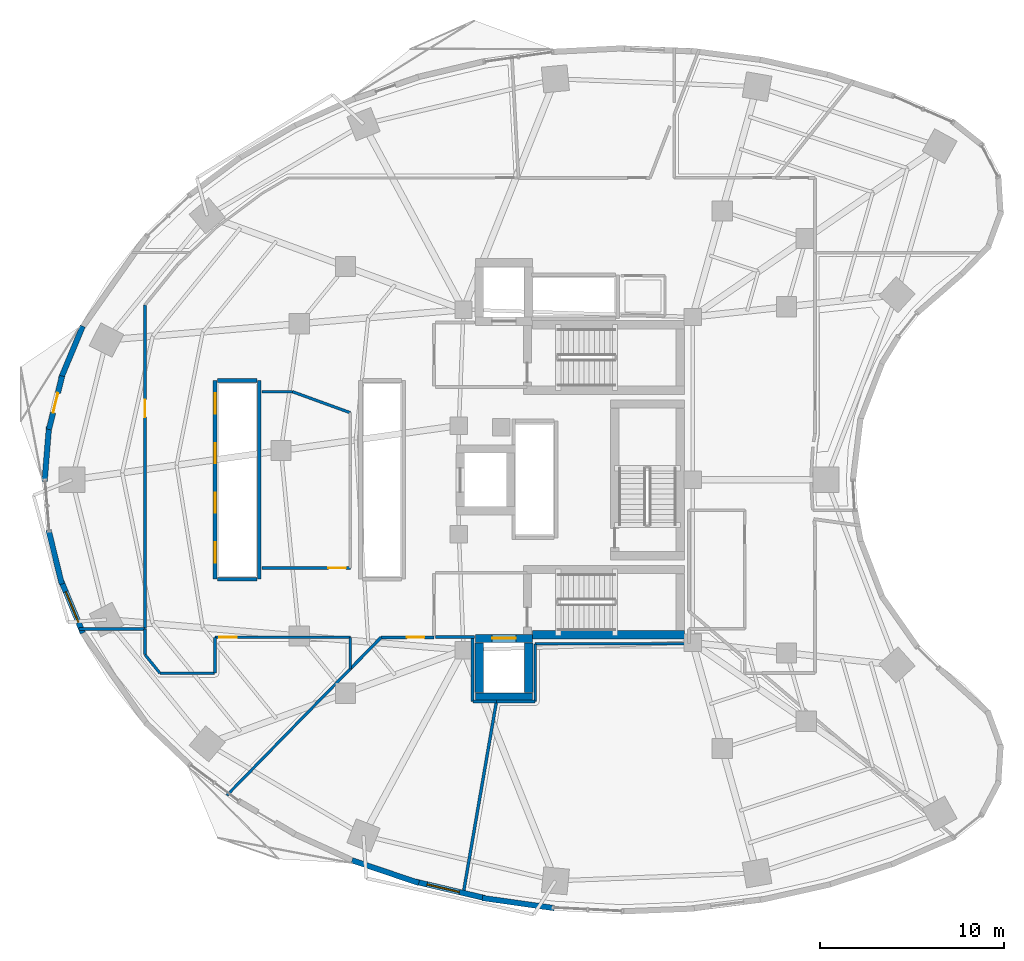
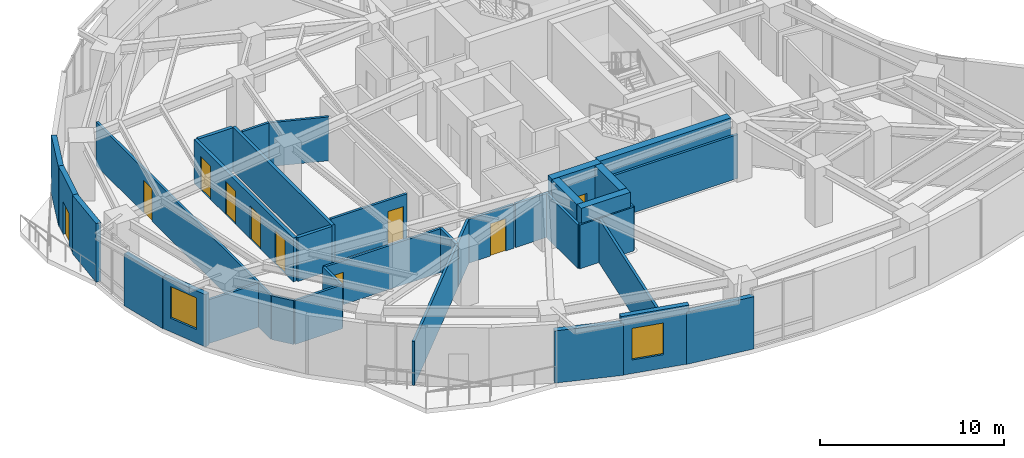
# One storey, part 8 of 14: 38 walls, 10 doors, 2 windows, 12 openings.
"""IFC4 building model written with IfcOpenShell, lengths in metres."""

from ifc_helpers import new_model, si_unit, direction, frame, frame_2d, origin, place, context, subcontext, project, spatial, rectangle, extrude, material, layer, layer_set, type_object, element, fill, save


model = new_model("IFC4")

# Units and contexts
model_context = context("Model", 3, precision=1e-05, world=origin(), true_north=direction((0.0, 1.0)))
body_context = subcontext(model_context, "Body", "Model", "MODEL_VIEW")
ifc_project = project(units=[si_unit("LENGTHUNIT", "METRE"), si_unit("AREAUNIT", "SQUARE_METRE"), si_unit("VOLUMEUNIT", "CUBIC_METRE"), si_unit("PLANEANGLEUNIT", "RADIAN"), si_unit("MASSUNIT", "GRAM", prefix="KILO")], contexts=[model_context])

# Site, building, storey
site_placement = place(None, origin())
site = spatial("IfcSite", under=ifc_project, at=site_placement, CompositionType="ELEMENT")
building_placement = place(site_placement, origin())
building = spatial("IfcBuilding", under=site, at=building_placement, Name="Korentha Bioscience Tower", CompositionType="ELEMENT")
storey_placement = place(building_placement, frame((0.0, 0.0, 51.0)))
storey = spatial("IfcBuildingStorey", under=building, at=storey_placement, Name="L11", CompositionType="ELEMENT", Elevation=51.0)

# Wall, opening, door
ifc_material_1 = material(Name="Double-Stud Acoustic Gypsum", Category="gypsum")
ifc_layer_1 = layer(ifc_material_1, 0.14990234375, Name="Double-Stud Acoustic Gypsum")
ifc_layer_set_1 = layer_set([ifc_layer_1], Name="Double-Stud Acoustic Gypsum (IW-L150)")
wall_type_1 = type_object("IfcWallType", Name="Acoustic Laboratory Partition Wall 150", PredefinedType="PARTITIONING", material=ifc_layer_set_1)
wall_1_placement = place(storey_placement, frame((18.947998046875, 22.2099609375, 0.0), z_axis=(0.0, 0.0, 1.0), x_axis=(-1.0, 0.0, 0.0)))
wall_1 = element("IfcWall", 1, at=wall_1_placement, inside=storey, type_object=wall_type_1, Name="L11 Research Colloquium Seminar Room 01 Entrance Wall", PredefinedType="PARTITIONING", context=body_context, shape_type="SweptSolid", body=[
    extrude(rectangle(XDim=4.7880859375, YDim=0.14990234375, at=frame_2d((2.39404296875, 0.0))), origin(), (0.0, 0.0, 1.0), 2.909912109375),
])
opening_1_placement = place(wall_1_placement, frame((0.239990234375, 0.0, 0.0)))
opening_1 = element("IfcOpeningElement", 2, at=opening_1_placement, cuts=wall_1, Name="Opening ID-10L", PredefinedType="OPENING", context=body_context, shape_type="SweptSolid", body=[
    extrude(rectangle(XDim=0.949951171875, YDim=2.14990234375, at=frame_2d((0.47509765625, 1.074951171875))), frame((0.0, 0.08984375, 0.0), z_axis=(0.0, -1.0, 0.0), x_axis=(1.0, 0.0, 0.0)), (0.0, 0.0, 1.0), 0.1796875),
])
ifc_material_2 = material(Name="Phenolic Laminate Timber Core", Category="wood")
door_type_1 = type_object("IfcDoorType", Name="Laboratory Single Leaf Door 950x2150 Left", OperationType="SINGLE_SWING_LEFT", PredefinedType="DOOR", material=ifc_material_2)
door_1_placement = place(opening_1_placement, origin())
door_1 = element("IfcDoor", 3, at=door_1_placement, inside=storey, type_object=door_type_1, Name="L11 Research Colloquium Seminar Room 01 Door", OperationType="SINGLE_SWING_LEFT", OverallHeight=2.14990234375, OverallWidth=0.949951171875, PredefinedType="DOOR", context=body_context, shape_type="SweptSolid", body=[
    extrude(rectangle(XDim=0.949951171875, YDim=2.14990234375, at=frame_2d((0.47509765625, 1.074951171875))), frame((0.0, 0.02490234375, 0.0), z_axis=(0.0, -1.0, 0.0), x_axis=(1.0, 0.0, 0.0)), (0.0, 0.0, 1.0), 0.050048828125),
])
fill(opening_1, door_1)

wall_2_placement = place(storey_placement, frame((11.590087890625, 18.43994140625, 0.0), z_axis=(0.0, 0.0, 1.0), x_axis=(1.0, 0.0, 0.0)))
wall_2 = element("IfcWall", 4, at=wall_2_placement, inside=storey, type_object=wall_type_1, Name="L11 Staff Pantry Kitchenette 02 Entrance Wall", PredefinedType="PARTITIONING", context=body_context, shape_type="SweptSolid", body=[
    extrude(rectangle(XDim=7.35791015625, YDim=0.14990234375, at=frame_2d((3.678955078125, 0.0))), origin(), (0.0, 0.0, 1.0), 2.909912109375),
])
opening_2_placement = place(wall_2_placement, frame((0.239990234375, 0.0, 0.0)))
opening_2 = element("IfcOpeningElement", 5, at=opening_2_placement, cuts=wall_2, Name="Opening ID-10R", PredefinedType="OPENING", context=body_context, shape_type="SweptSolid", body=[
    extrude(rectangle(XDim=0.949951171875, YDim=2.14990234375, at=frame_2d((0.47509765625, 1.074951171875))), frame((0.0, 0.08984375, 0.0), z_axis=(0.0, -1.0, 0.0), x_axis=(1.0, 0.0, 0.0)), (0.0, 0.0, 1.0), 0.1796875),
])
door_type_2 = type_object("IfcDoorType", Name="Laboratory Single Leaf Door 950x2150 Right", OperationType="SINGLE_SWING_RIGHT", PredefinedType="DOOR", material=ifc_material_2)
door_2_placement = place(opening_2_placement, origin())
door_2 = element("IfcDoor", 6, at=door_2_placement, inside=storey, type_object=door_type_2, Name="L11 Staff Pantry Kitchenette 02 Door", OperationType="SINGLE_SWING_RIGHT", OverallHeight=2.14990234375, OverallWidth=0.949951171875, PredefinedType="DOOR", context=body_context, shape_type="SweptSolid", body=[
    extrude(rectangle(XDim=0.949951171875, YDim=2.14990234375, at=frame_2d((0.47509765625, 1.074951171875))), frame((0.0, 0.02490234375, 0.0), z_axis=(0.0, -1.0, 0.0), x_axis=(1.0, 0.0, 0.0)), (0.0, 0.0, 1.0), 0.050048828125),
])
fill(opening_2, door_2)

wall_3_placement = place(storey_placement, frame((7.7900390625, 36.501220703125, 0.0), z_axis=(0.0, 0.0, 1.0), x_axis=(0.0, -1.0, 0.0)))
wall_3 = element("IfcWall", 7, at=wall_3_placement, inside=storey, type_object=wall_type_1, Name="L11 Patent and Regulatory Affairs Office 11 Entrance Wall", PredefinedType="PARTITIONING", context=body_context, shape_type="SweptSolid", body=[
    extrude(rectangle(XDim=17.59326171875, YDim=0.14990234375, at=frame_2d((8.796630859375, 0.0))), origin(), (0.0, 0.0, 1.0), 2.909912109375),
])
opening_3_placement = place(wall_3_placement, frame((5.138916015625, 0.0, 0.0)))
opening_3 = element("IfcOpeningElement", 8, at=opening_3_placement, cuts=wall_3, Name="Opening ID-10L", PredefinedType="OPENING", context=body_context, shape_type="SweptSolid", body=[
    extrude(rectangle(XDim=0.949951171875, YDim=2.14990234375, at=frame_2d((0.47509765625, 1.074951171875))), frame((0.0, 0.08984375, 0.0), z_axis=(0.0, -1.0, 0.0), x_axis=(1.0, 0.0, 0.0)), (0.0, 0.0, 1.0), 0.1796875),
])
door_3_placement = place(opening_3_placement, origin())
door_3 = element("IfcDoor", 9, at=door_3_placement, inside=storey, type_object=door_type_1, Name="L11 Patent and Regulatory Affairs Office 11 Door", OperationType="SINGLE_SWING_LEFT", OverallHeight=2.14990234375, OverallWidth=0.949951171875, PredefinedType="DOOR", context=body_context, shape_type="SweptSolid", body=[
    extrude(rectangle(XDim=0.949951171875, YDim=2.14990234375, at=frame_2d((0.47509765625, 1.074951171875))), frame((0.0, 0.02490234375, 0.0), z_axis=(0.0, -1.0, 0.0), x_axis=(1.0, 0.0, 0.0)), (0.0, 0.0, 1.0), 0.050048828125),
])
fill(opening_3, door_3)

# Walls
wall_4_placement = place(storey_placement, frame((14.159912109375, 31.7900390625, 0.0), z_axis=(0.0, 0.0, 1.0), x_axis=(1.0, 0.0, 0.0)))
element("IfcWall", 10, at=wall_4_placement, inside=storey, type_object=wall_type_1, Name="L11 Interior Partition 015", PredefinedType="PARTITIONING", context=body_context, shape_type="SweptSolid", body=[
    extrude(rectangle(XDim=1.6474609375, YDim=0.14990234375, at=frame_2d((0.82373046875, 0.0))), origin(), (0.0, 0.0, 1.0), 2.909912109375),
])
wall_5_placement = place(storey_placement, frame((15.807373046875, 31.7900390625, 0.0), z_axis=(0.0, 0.0, 1.0), x_axis=(0.939695275892, -0.342012848393, 0.0)))
element("IfcWall", 11, at=wall_5_placement, inside=storey, type_object=wall_type_1, Name="L11 Interior Partition 016", PredefinedType="PARTITIONING", context=body_context, shape_type="SweptSolid", body=[
    extrude(rectangle(XDim=3.34228515625, YDim=0.14990234375, at=frame_2d((1.671142578125, 0.0))), origin(), (0.0, 0.0, 1.0), 2.909912109375),
])
wall_6_placement = place(storey_placement, frame((4.19580078125, 18.89794921875, 0.0), z_axis=(0.0, 0.0, 1.0), x_axis=(1.0, 0.0, 0.0)))
element("IfcWall", 12, at=wall_6_placement, inside=storey, type_object=wall_type_1, Name="L11 Interior Partition 020", PredefinedType="PARTITIONING", context=body_context, shape_type="SweptSolid", body=[
    extrude(rectangle(XDim=3.59423828125, YDim=0.14990234375, at=frame_2d((1.797119140625, 0.0))), origin(), (0.0, 0.0, 1.0), 2.909912109375),
])
wall_7_placement = place(storey_placement, frame((7.7900390625, 18.89794921875, 0.0), z_axis=(0.0, 0.0, 1.0), x_axis=(0.0, -1.0, 0.0)))
element("IfcWall", 13, at=wall_7_placement, inside=storey, type_object=wall_type_1, Name="L11 Interior Partition 021", PredefinedType="PARTITIONING", context=body_context, shape_type="SweptSolid", body=[
    extrude(rectangle(XDim=1.399169921875, YDim=0.14990234375, at=frame_2d((0.69970703125, 0.0))), origin(), (0.0, 0.0, 1.0), 2.909912109375),
])
wall_8_placement = place(storey_placement, frame((7.792236328125, 17.492431640625, 0.0), z_axis=(0.0, 0.0, 1.0), x_axis=(0.629225554682, -0.777222748854, 0.0)))
element("IfcWall", 14, at=wall_8_placement, inside=storey, type_object=wall_type_1, Name="L11 Interior Partition 022", PredefinedType="PARTITIONING", context=body_context, shape_type="SweptSolid", body=[
    extrude(rectangle(XDim=1.28515625, YDim=0.14990234375, at=frame_2d((0.642578125, 0.0))), origin(), (0.0, 0.0, 1.0), 2.909912109375),
])
wall_9_placement = place(storey_placement, frame((8.608642578125, 16.489990234375, 0.0), z_axis=(0.0, 0.0, 1.0), x_axis=(1.0, 0.0, 0.0)))
element("IfcWall", 15, at=wall_9_placement, inside=storey, type_object=wall_type_1, Name="L11 Interior Partition 023", PredefinedType="PARTITIONING", context=body_context, shape_type="SweptSolid", body=[
    extrude(rectangle(XDim=2.971435546875, YDim=0.14990234375, at=frame_2d((1.48583984375, 0.0))), origin(), (0.0, 0.0, 1.0), 2.909912109375),
])
wall_10_placement = place(storey_placement, frame((11.590087890625, 16.5, 0.0), z_axis=(0.0, 0.0, 1.0), x_axis=(0.0, 1.0, 0.0)))
element("IfcWall", 16, at=wall_10_placement, inside=storey, type_object=wall_type_1, Name="L11 Interior Partition 024", PredefinedType="PARTITIONING", context=body_context, shape_type="SweptSolid", body=[
    extrude(rectangle(XDim=1.93994140625, YDim=0.14990234375, at=frame_2d((0.969970703125, 0.0))), origin(), (0.0, 0.0, 1.0), 2.909912109375),
])
wall_11_placement = place(storey_placement, frame((18.947998046875, 18.43994140625, 0.0), z_axis=(0.0, 0.0, 1.0), x_axis=(0.0, -1.0, 0.0)))
element("IfcWall", 17, at=wall_11_placement, inside=storey, type_object=wall_type_1, Name="L11 Interior Partition 025", PredefinedType="PARTITIONING", context=body_context, shape_type="SweptSolid", body=[
    extrude(rectangle(XDim=1.710693359375, YDim=0.14990234375, at=frame_2d((0.85546875, 0.0))), origin(), (0.0, 0.0, 1.0), 2.909912109375),
])
wall_12_placement = place(storey_placement, frame((18.947998046875, 16.729248046875, 0.0), z_axis=(0.0, 0.0, 1.0), x_axis=(-0.698422651091, -0.715685545783, 0.0)))
element("IfcWall", 18, at=wall_12_placement, inside=storey, type_object=wall_type_1, Name="L11 Interior Partition 026", PredefinedType="PARTITIONING", context=body_context, shape_type="SweptSolid", body=[
    extrude(rectangle(XDim=9.602783203125, YDim=0.14990234375, at=frame_2d((4.80126953125, 0.0))), origin(), (0.0, 0.0, 1.0), 2.909912109375),
])
wall_13_placement = place(storey_placement, frame((29.0, 14.9541015625, 0.0), z_axis=(0.0, 0.0, 1.0), x_axis=(0.0, 1.0, 0.0)))
element("IfcWall", 19, at=wall_13_placement, inside=storey, type_object=wall_type_1, Name="L11 Interior Partition 031", PredefinedType="PARTITIONING", context=body_context, shape_type="SweptSolid", body=[
    extrude(rectangle(XDim=3.135986328125, YDim=0.14990234375, at=frame_2d((1.56787109375, 0.0))), origin(), (0.0, 0.0, 1.0), 2.909912109375),
])
wall_14_placement = place(storey_placement, frame((29.0, 18.090087890625, 0.0), z_axis=(0.0, 0.0, 1.0), x_axis=(1.0, 0.0, 0.0)))
element("IfcWall", 20, at=wall_14_placement, inside=storey, type_object=wall_type_1, Name="L11 Interior Partition 032", PredefinedType="PARTITIONING", context=body_context, shape_type="SweptSolid", body=[
    extrude(rectangle(XDim=8.35009765625, YDim=0.14990234375, at=frame_2d((4.175048828125, 0.0))), origin(), (0.0, 0.0, 1.0), 2.909912109375),
])
wall_15_placement = place(storey_placement, frame((26.900146484375, 14.949951171875, 0.0), z_axis=(0.0, 0.0, 1.0), x_axis=(1.0, 0.0, 0.0)))
element("IfcWall", 21, at=wall_15_placement, inside=storey, type_object=wall_type_1, Name="L11 Interior Partition 043", PredefinedType="PARTITIONING", context=body_context, shape_type="SweptSolid", body=[
    extrude(rectangle(XDim=2.095703125, YDim=0.14990234375, at=frame_2d((1.0478515625, 0.0))), origin(), (0.0, 0.0, 1.0), 2.909912109375),
])
ifc_material_3 = material(Name="Gypsum-Clad Steel Stud", Category="steel")
ifc_layer_2 = layer(ifc_material_3, 0.159912109375, Name="Gypsum-Clad Steel Stud")
ifc_layer_set_2 = layer_set([ifc_layer_2], Name="Gypsum-Clad Steel Stud (IW-C160)")
wall_type_2 = type_object("IfcWallType", Name="Fire-Rated Corridor Partition Wall 160", PredefinedType="PARTITIONING", material=ifc_layer_set_2)
wall_16_placement = place(storey_placement, frame((23.580078125, 18.449951171875, 0.0), z_axis=(0.0, 0.0, 1.0), x_axis=(1.0, 0.0, 0.0)))
element("IfcWall", 22, at=wall_16_placement, inside=storey, type_object=wall_type_2, Name="L11 Firefighting Lobby Return Wall FFLS-S", PredefinedType="PARTITIONING", context=body_context, shape_type="SweptSolid", body=[
    extrude(rectangle(XDim=2.119873046875, YDim=0.159912109375, at=frame_2d((1.06005859375, 0.0))), origin(), (0.0, 0.0, 1.0), 2.909912109375),
])

# Wall, opening, door
wall_17_placement = place(storey_placement, frame((20.623046875, 18.43994140625, 0.0), z_axis=(0.0, 0.0, 1.0), x_axis=(1.0, 0.0, 0.0)))
wall_17 = element("IfcWall", 23, at=wall_17_placement, inside=storey, type_object=wall_type_2, Name="L11 Biospecimen Archive Store 03 Entrance Wall", PredefinedType="PARTITIONING", context=body_context, shape_type="SweptSolid", body=[
    extrude(rectangle(XDim=2.866943359375, YDim=0.159912109375, at=frame_2d((1.43359375, 0.0))), origin(), (0.0, 0.0, 1.0), 2.909912109375),
])
opening_4_placement = place(wall_17_placement, frame((1.39697265625, 0.0, 0.0)))
opening_4 = element("IfcOpeningElement", 24, at=opening_4_placement, cuts=wall_17, Name="Opening ID-10L", PredefinedType="OPENING", context=body_context, shape_type="SweptSolid", body=[
    extrude(rectangle(XDim=0.949951171875, YDim=2.14990234375, at=frame_2d((0.47509765625, 1.074951171875))), frame((0.0, 0.0947265625, 0.0), z_axis=(0.0, -1.0, 0.0), x_axis=(1.0, 0.0, 0.0)), (0.0, 0.0, 1.0), 0.189697265625),
])
door_4_placement = place(opening_4_placement, origin())
door_4 = element("IfcDoor", 25, at=door_4_placement, inside=storey, type_object=door_type_1, Name="L11 Biospecimen Archive Store 03 Door", OperationType="SINGLE_SWING_LEFT", OverallHeight=2.14990234375, OverallWidth=0.949951171875, PredefinedType="DOOR", context=body_context, shape_type="SweptSolid", body=[
    extrude(rectangle(XDim=0.949951171875, YDim=2.14990234375, at=frame_2d((0.47509765625, 1.074951171875))), frame((0.0, 0.02490234375, 0.0), z_axis=(0.0, -1.0, 0.0), x_axis=(1.0, 0.0, 0.0)), (0.0, 0.0, 1.0), 0.050048828125),
])
fill(opening_4, door_4)

# Walls
wall_18_placement = place(storey_placement, frame((25.60009765625, 18.43603515625, 0.0), z_axis=(0.0, 0.0, 1.0), x_axis=(0.0, -1.0, 0.0)))
element("IfcWall", 26, at=wall_18_placement, inside=storey, type_object=wall_type_2, Name="L11 Interior Partition 027", PredefinedType="PARTITIONING", context=body_context, shape_type="SweptSolid", body=[
    extrude(rectangle(XDim=3.48193359375, YDim=0.159912109375, at=frame_2d((1.740966796875, 0.0))), origin(), (0.0, 0.0, 1.0), 2.909912109375),
])
wall_19_placement = place(storey_placement, frame((25.60400390625, 14.949951171875, 0.0), z_axis=(0.0, 0.0, 1.0), x_axis=(1.0, 0.0, 0.0)))
element("IfcWall", 27, at=wall_19_placement, inside=storey, type_object=wall_type_2, Name="L11 Interior Partition 028", PredefinedType="PARTITIONING", context=body_context, shape_type="SweptSolid", body=[
    extrude(rectangle(XDim=1.2861328125, YDim=0.159912109375, at=frame_2d((0.64306640625, 0.0))), origin(), (0.0, 0.0, 1.0), 2.909912109375),
])
wall_20_placement = place(storey_placement, frame((26.89013671875, 14.949951171875, 0.0), z_axis=(0.0, 0.0, 1.0), x_axis=(-0.170210321413, -0.985407756456, 0.0)))
element("IfcWall", 28, at=wall_20_placement, inside=storey, type_object=wall_type_2, Name="L11 Interior Partition 029", PredefinedType="PARTITIONING", context=body_context, shape_type="SweptSolid", body=[
    extrude(rectangle(XDim=10.697265625, YDim=0.159912109375, at=frame_2d((5.3486328125, 0.0))), origin(), (0.0, 0.0, 1.0), 2.909912109375),
])
wall_21_placement = place(storey_placement, frame((18.9580078125, 16.73388671875, 0.0), z_axis=(0.0, 0.0, 1.0), x_axis=(0.698451817259, 0.715657081966, 0.0)))
element("IfcWall", 29, at=wall_21_placement, inside=storey, type_object=wall_type_2, Name="L11 Interior Partition 030", PredefinedType="PARTITIONING", context=body_context, shape_type="SweptSolid", body=[
    extrude(rectangle(XDim=2.3837890625, YDim=0.159912109375, at=frame_2d((1.19189453125, 0.0))), origin(), (0.0, 0.0, 1.0), 2.909912109375),
])

# Wall, opening, door
ifc_material_4 = material(Name="Honed Limestone Precast Concrete C40", Category="masonry")
ifc_layer_3 = layer(ifc_material_4, 0.300048828125, Name="Honed Limestone Precast Concrete C40")
ifc_layer_set_3 = layer_set([ifc_layer_3], Name="Honed Limestone Precast Concrete C40 (EW-ST300)")
wall_type_3 = type_object("IfcWallType", Name="Honed Limestone Cavity Spandrel Wall 300", PredefinedType="STANDARD", material=ifc_layer_set_3)
wall_22_placement = place(storey_placement, frame((3.28466796875, 32.640625, 0.0), z_axis=(0.0, 0.0, 1.0), x_axis=(-0.238522035896, -0.971137085273, 0.0)))
wall_22 = element("IfcWall", 30, at=wall_22_placement, inside=storey, type_object=wall_type_3, Name="L11 Balcony Threshold Wall 02", PredefinedType="STANDARD", context=body_context, shape_type="SweptSolid", body=[
    extrude(rectangle(XDim=2.992919921875, YDim=0.300048828125, at=frame_2d((1.49658203125, 0.0))), origin(), (0.0, 0.0, 1.0), 3.89990234375),
])
opening_5_placement = place(wall_22_placement, frame((0.9462890625, 0.0, 0.0)))
opening_5 = element("IfcOpeningElement", 31, at=opening_5_placement, cuts=wall_22, Name="Opening BD-11R", PredefinedType="OPENING", context=body_context, shape_type="SweptSolid", body=[
    extrude(rectangle(XDim=1.10009765625, YDim=2.14990234375, at=frame_2d((0.550048828125, 1.074951171875))), frame((0.0, 0.1650390625, 0.0), z_axis=(0.0, -1.0, 0.0), x_axis=(1.0, 0.0, 0.0)), (0.0, 0.0, 1.0), 0.329833984375),
])
ifc_material_5 = material(Name="Thermally Broken Glazed Aluminium", Category="aluminium")
door_type_3 = type_object("IfcDoorType", Name="Balcony Terrace Glazed Door 1100x2150 Right", OperationType="SINGLE_SWING_RIGHT", PredefinedType="DOOR", material=ifc_material_5)
door_5_placement = place(opening_5_placement, origin())
door_5 = element("IfcDoor", 32, at=door_5_placement, inside=storey, type_object=door_type_3, Name="L11 Balcony Access Door 02", OperationType="SINGLE_SWING_RIGHT", OverallHeight=2.14990234375, OverallWidth=1.10009765625, PredefinedType="DOOR", context=body_context, shape_type="SweptSolid", body=[
    extrude(rectangle(XDim=1.10009765625, YDim=2.14990234375, at=frame_2d((0.550048828125, 1.074951171875))), frame((0.0, 0.02490234375, 0.0), z_axis=(0.0, -1.0, 0.0), x_axis=(1.0, 0.0, 0.0)), (0.0, 0.0, 1.0), 0.050048828125),
])
fill(opening_5, door_5)

# Wall, opening, window
wall_23_placement = place(storey_placement, frame((3.239501953125, 21.49658203125, 0.0), z_axis=(0.0, 0.0, 1.0), x_axis=(0.385358473275, -0.92276695166, 0.0)))
wall_23 = element("IfcWall", 33, at=wall_23_placement, inside=storey, type_object=wall_type_3, Name="L11 Honed Limestone Spandrel Wall 21", PredefinedType="STANDARD", context=body_context, shape_type="SweptSolid", body=[
    extrude(rectangle(XDim=3.0556640625, YDim=0.300048828125, at=frame_2d((1.52783203125, 0.0))), origin(), (0.0, 0.0, 1.0), 3.469970703125),
])
opening_6_placement = place(wall_23_placement, frame((0.627685546875, 0.0, 0.89990234375)))
opening_6 = element("IfcOpeningElement", 34, at=opening_6_placement, cuts=wall_23, Name="Opening WN-01", PredefinedType="OPENING", context=body_context, shape_type="SweptSolid", body=[
    extrude(rectangle(XDim=1.800048828125, YDim=2.10009765625, at=frame_2d((0.89990234375, 1.050048828125))), frame((0.0, 0.1650390625, 0.0), z_axis=(0.0, -1.0, 0.0), x_axis=(1.0, 0.0, 0.0)), (0.0, 0.0, 1.0), 0.329833984375),
])
ifc_material_6 = material(Name="Thermally Broken Aluminium Triple Glazing", Category="aluminium")
window_type = type_object("IfcWindowType", Name="Triple-Glazed Fixed Bioscience Window 1800x2100", PartitioningType="SINGLE_PANEL", PredefinedType="WINDOW", material=ifc_material_6)
window_1_placement = place(opening_6_placement, origin())
window_1 = element("IfcWindow", 35, at=window_1_placement, inside=storey, type_object=window_type, Name="L11 Facade Window 21", OverallHeight=2.10009765625, OverallWidth=1.800048828125, PartitioningType="SINGLE_PANEL", PredefinedType="WINDOW", context=body_context, shape_type="SweptSolid", body=[
    extrude(rectangle(XDim=1.800048828125, YDim=2.10009765625, at=frame_2d((0.89990234375, 1.050048828125))), frame((0.0, 0.030029296875, 0.0), z_axis=(0.0, -1.0, 0.0), x_axis=(1.0, 0.0, 0.0)), (0.0, 0.0, 1.0), 0.06005859375),
])
fill(opening_6, window_1)

wall_24_placement = place(storey_placement, frame((22.524658203125, 5.1533203125, 0.0), z_axis=(0.0, 0.0, 1.0), x_axis=(0.973186156802, -0.230018921417, 0.0)))
wall_24 = element("IfcWall", 36, at=wall_24_placement, inside=storey, type_object=wall_type_3, Name="L11 Honed Limestone Spandrel Wall 29", PredefinedType="STANDARD", context=body_context, shape_type="SweptSolid", body=[
    extrude(rectangle(XDim=3.861328125, YDim=0.300048828125, at=frame_2d((1.9306640625, 0.0))), origin(), (0.0, 0.0, 1.0), 3.89990234375),
])
opening_7_placement = place(wall_24_placement, frame((0.61474609375, 0.0, 0.89990234375)))
opening_7 = element("IfcOpeningElement", 37, at=opening_7_placement, cuts=wall_24, Name="Opening WN-01", PredefinedType="OPENING", context=body_context, shape_type="SweptSolid", body=[
    extrude(rectangle(XDim=1.800048828125, YDim=2.10009765625, at=frame_2d((0.89990234375, 1.050048828125))), frame((0.0, 0.1650390625, 0.0), z_axis=(0.0, -1.0, 0.0), x_axis=(1.0, 0.0, 0.0)), (0.0, 0.0, 1.0), 0.329833984375),
])
window_2_placement = place(opening_7_placement, origin())
window_2 = element("IfcWindow", 38, at=window_2_placement, inside=storey, type_object=window_type, Name="L11 Facade Window 29", OverallHeight=2.10009765625, OverallWidth=1.800048828125, PartitioningType="SINGLE_PANEL", PredefinedType="WINDOW", context=body_context, shape_type="SweptSolid", body=[
    extrude(rectangle(XDim=1.800048828125, YDim=2.10009765625, at=frame_2d((0.89990234375, 1.050048828125))), frame((0.0, 0.030029296875, 0.0), z_axis=(0.0, -1.0, 0.0), x_axis=(1.0, 0.0, 0.0)), (0.0, 0.0, 1.0), 0.06005859375),
])
fill(opening_7, window_2)

# Walls
wall_25_placement = place(storey_placement, frame((4.40625, 35.34912109375, 0.0), z_axis=(0.0, 0.0, 1.0), x_axis=(-0.38535448421, -0.922768617531, 0.0)))
element("IfcWall", 39, at=wall_25_placement, inside=storey, type_object=wall_type_3, Name="L11 Limestone Perimeter Closure Wall 16", PredefinedType="STANDARD", context=body_context, shape_type="SweptSolid", body=[
    extrude(rectangle(XDim=3.095458984375, YDim=0.300048828125, at=frame_2d((1.5478515625, 0.0))), origin(), (0.0, 0.0, 1.0), 3.89990234375),
])
wall_26_placement = place(storey_placement, frame((2.57568359375, 29.899169921875, 0.0), z_axis=(0.0, 0.0, 1.0), x_axis=(-0.080890160317, -0.996723021689, 0.0)))
element("IfcWall", 40, at=wall_26_placement, inside=storey, type_object=wall_type_3, Name="L11 Limestone Perimeter Closure Wall 18", PredefinedType="STANDARD", context=body_context, shape_type="SweptSolid", body=[
    extrude(rectangle(XDim=3.0, YDim=0.300048828125, at=frame_2d((1.5, 0.0))), origin(), (0.0, 0.0, 1.0), 3.89990234375),
])
wall_27_placement = place(storey_placement, frame((2.54638671875, 24.280517578125, 0.0), z_axis=(0.0, 0.0, 1.0), x_axis=(0.23859399274, -0.971119409047, 0.0)))
element("IfcWall", 41, at=wall_27_placement, inside=storey, type_object=wall_type_3, Name="L11 Limestone Perimeter Closure Wall 20", PredefinedType="STANDARD", context=body_context, shape_type="SweptSolid", body=[
    extrude(rectangle(XDim=3.032958984375, YDim=0.300048828125, at=frame_2d((1.5166015625, 0.0))), origin(), (0.0, 0.0, 1.0), 3.469970703125),
])
wall_28_placement = place(storey_placement, frame((19.0400390625, 6.32080078125, 0.0), z_axis=(0.0, 0.0, 1.0), x_axis=(0.94702579403, -0.321157508773, 0.0)))
element("IfcWall", 42, at=wall_28_placement, inside=storey, type_object=wall_type_3, Name="L11 Limestone Perimeter Closure Wall 28", PredefinedType="STANDARD", context=body_context, shape_type="SweptSolid", body=[
    extrude(rectangle(XDim=3.829833984375, YDim=0.300048828125, at=frame_2d((1.9150390625, 0.0))), origin(), (0.0, 0.0, 1.0), 3.469970703125),
])
wall_29_placement = place(storey_placement, frame((26.127685546875, 4.273193359375, 0.0), z_axis=(0.0, 0.0, 1.0), x_axis=(0.990165832998, -0.139898617443, 0.0)))
element("IfcWall", 43, at=wall_29_placement, inside=storey, type_object=wall_type_3, Name="L11 Limestone Perimeter Closure Wall 30", PredefinedType="STANDARD", context=body_context, shape_type="SweptSolid", body=[
    extrude(rectangle(XDim=3.950927734375, YDim=0.300048828125, at=frame_2d((1.9755859375, 0.0))), origin(), (0.0, 0.0, 1.0), 3.469970703125),
])

# Wall, openings, doors
ifc_material_7 = material(Name="Autoclaved Aerated Concrete Block C25", Category="concrete")
ifc_layer_4 = layer(ifc_material_7, 0.199951171875, Name="Autoclaved Aerated Concrete Block C25")
ifc_layer_set_4 = layer_set([ifc_layer_4], Name="Autoclaved Aerated Concrete Block C25 (IW-S200)")
wall_type_4 = type_object("IfcWallType", Name="Lift and Riser Shaft Enclosure Wall 200", PredefinedType="PARTITIONING", material=ifc_layer_set_4)
wall_30_placement = place(storey_placement, frame((11.60009765625, 21.60009765625, 0.0), z_axis=(0.0, 0.0, 1.0), x_axis=(0.0, 1.0, 0.0)))
wall_30 = element("IfcWall", 44, at=wall_30_placement, inside=storey, type_object=wall_type_4, Name="L11 Lift Bank LOW Shaft Wall -X", PredefinedType="PARTITIONING", context=body_context, shape_type="SweptSolid", body=[
    extrude(rectangle(XDim=10.7998046875, YDim=0.199951171875, at=frame_2d((5.39990234375, 0.0))), origin(), (0.0, 0.0, 1.0), 2.909912109375),
])
opening_8_placement = place(wall_30_placement, frame((0.89990234375, 0.0, 0.0)))
opening_8 = element("IfcOpeningElement", 45, at=opening_8_placement, cuts=wall_30, Name="Opening LD-11", PredefinedType="OPENING", context=body_context, shape_type="SweptSolid", body=[
    extrude(rectangle(XDim=1.10009765625, YDim=2.199951171875, at=frame_2d((0.550048828125, 1.10009765625))), frame((0.0, 0.11474609375, 0.0), z_axis=(0.0, -1.0, 0.0), x_axis=(1.0, 0.0, 0.0)), (0.0, 0.0, 1.0), 0.229736328125),
])
opening_9_placement = place(wall_30_placement, frame((3.60009765625, 0.0, 0.0)))
opening_9 = element("IfcOpeningElement", 46, at=opening_9_placement, cuts=wall_30, Name="Opening LD-11", PredefinedType="OPENING", context=body_context, shape_type="SweptSolid", body=[
    extrude(rectangle(XDim=1.10009765625, YDim=2.199951171875, at=frame_2d((0.550048828125, 1.10009765625))), frame((0.0, 0.11474609375, 0.0), z_axis=(0.0, -1.0, 0.0), x_axis=(1.0, 0.0, 0.0)), (0.0, 0.0, 1.0), 0.229736328125),
])
opening_10_placement = place(wall_30_placement, frame((6.300048828125, 0.0, 0.0)))
opening_10 = element("IfcOpeningElement", 47, at=opening_10_placement, cuts=wall_30, Name="Opening LD-11", PredefinedType="OPENING", context=body_context, shape_type="SweptSolid", body=[
    extrude(rectangle(XDim=1.10009765625, YDim=2.199951171875, at=frame_2d((0.550048828125, 1.10009765625))), frame((0.0, 0.11474609375, 0.0), z_axis=(0.0, -1.0, 0.0), x_axis=(1.0, 0.0, 0.0)), (0.0, 0.0, 1.0), 0.229736328125),
])
opening_11_placement = place(wall_30_placement, frame((9.0, 0.0, 0.0)))
opening_11 = element("IfcOpeningElement", 48, at=opening_11_placement, cuts=wall_30, Name="Opening LD-11", PredefinedType="OPENING", context=body_context, shape_type="SweptSolid", body=[
    extrude(rectangle(XDim=1.10009765625, YDim=2.199951171875, at=frame_2d((0.550048828125, 1.10009765625))), frame((0.0, 0.11474609375, 0.0), z_axis=(0.0, -1.0, 0.0), x_axis=(1.0, 0.0, 0.0)), (0.0, 0.0, 1.0), 0.229736328125),
])
ifc_material_8 = material(Name="Brushed Stainless Steel 304", Category="steel")
door_type_4 = type_object("IfcDoorType", Name="Passenger Lift Sliding Landing Door 1100x2200", OperationType="DOUBLE_DOOR_SLIDING", PredefinedType="DOOR", material=ifc_material_8)
door_6_placement = place(opening_8_placement, origin())
door_6 = element("IfcDoor", 49, at=door_6_placement, inside=storey, type_object=door_type_4, Name="L11 PL-L1 Sliding Lift Landing Door", OperationType="DOUBLE_DOOR_SLIDING", OverallHeight=2.199951171875, OverallWidth=1.10009765625, PredefinedType="DOOR", context=body_context, shape_type="SweptSolid", body=[
    extrude(rectangle(XDim=1.10009765625, YDim=2.199951171875, at=frame_2d((0.550048828125, 1.10009765625))), frame((0.0, 0.02490234375, 0.0), z_axis=(0.0, -1.0, 0.0), x_axis=(1.0, 0.0, 0.0)), (0.0, 0.0, 1.0), 0.050048828125),
])
fill(opening_8, door_6)
door_7_placement = place(opening_9_placement, origin())
door_7 = element("IfcDoor", 50, at=door_7_placement, inside=storey, type_object=door_type_4, Name="L11 PL-L2 Sliding Lift Landing Door", OperationType="DOUBLE_DOOR_SLIDING", OverallHeight=2.199951171875, OverallWidth=1.10009765625, PredefinedType="DOOR", context=body_context, shape_type="SweptSolid", body=[
    extrude(rectangle(XDim=1.10009765625, YDim=2.199951171875, at=frame_2d((0.550048828125, 1.10009765625))), frame((0.0, 0.02490234375, 0.0), z_axis=(0.0, -1.0, 0.0), x_axis=(1.0, 0.0, 0.0)), (0.0, 0.0, 1.0), 0.050048828125),
])
fill(opening_9, door_7)
door_8_placement = place(opening_10_placement, origin())
door_8 = element("IfcDoor", 51, at=door_8_placement, inside=storey, type_object=door_type_4, Name="L11 PL-L3 Sliding Lift Landing Door", OperationType="DOUBLE_DOOR_SLIDING", OverallHeight=2.199951171875, OverallWidth=1.10009765625, PredefinedType="DOOR", context=body_context, shape_type="SweptSolid", body=[
    extrude(rectangle(XDim=1.10009765625, YDim=2.199951171875, at=frame_2d((0.550048828125, 1.10009765625))), frame((0.0, 0.02490234375, 0.0), z_axis=(0.0, -1.0, 0.0), x_axis=(1.0, 0.0, 0.0)), (0.0, 0.0, 1.0), 0.050048828125),
])
fill(opening_10, door_8)
door_9_placement = place(opening_11_placement, origin())
door_9 = element("IfcDoor", 52, at=door_9_placement, inside=storey, type_object=door_type_4, Name="L11 PL-L4 Sliding Lift Landing Door", OperationType="DOUBLE_DOOR_SLIDING", OverallHeight=2.199951171875, OverallWidth=1.10009765625, PredefinedType="DOOR", context=body_context, shape_type="SweptSolid", body=[
    extrude(rectangle(XDim=1.10009765625, YDim=2.199951171875, at=frame_2d((0.550048828125, 1.10009765625))), frame((0.0, 0.02490234375, 0.0), z_axis=(0.0, -1.0, 0.0), x_axis=(1.0, 0.0, 0.0)), (0.0, 0.0, 1.0), 0.050048828125),
])
fill(opening_11, door_9)

# Walls
wall_31_placement = place(storey_placement, frame((14.0, 21.60009765625, 0.0), z_axis=(0.0, 0.0, 1.0), x_axis=(0.0, 1.0, 0.0)))
element("IfcWall", 53, at=wall_31_placement, inside=storey, type_object=wall_type_4, Name="L11 Lift Bank LOW Shaft Wall +X", PredefinedType="PARTITIONING", context=body_context, shape_type="SweptSolid", body=[
    extrude(rectangle(XDim=10.7998046875, YDim=0.199951171875, at=frame_2d((5.39990234375, 0.0))), origin(), (0.0, 0.0, 1.0), 2.909912109375),
])
for number, where, z_axis, x_axis, name in (
    (54, (11.719970703125, 21.60009765625, 0.0), (0.0, 0.0, 1.0), (1.0, 0.0, 0.0), "L11 Lift Bank LOW Shaft Wall -Y"),
    (55, (11.719970703125, 32.39990234375, 0.0), (0.0, 0.0, 1.0), (1.0, 0.0, 0.0), "L11 Lift Bank LOW Shaft Wall +Y"),
):
    element("IfcWall", number, at=place(storey_placement, frame(where, z_axis=z_axis, x_axis=x_axis)), inside=storey, type_object=wall_type_4, Name=name, PredefinedType="PARTITIONING", context=body_context, shape_type="SweptSolid", body=[
        extrude(rectangle(XDim=2.159912109375, YDim=0.199951171875, at=frame_2d((1.080078125, 0.0))), origin(), (0.0, 0.0, 1.0), 2.909912109375),
    ])
ifc_material_9 = material(Name="Concrete C80", Category="concrete")
ifc_layer_5 = layer(ifc_material_9, 0.449951171875, Name="Concrete C80")
ifc_layer_set_5 = layer_set([ifc_layer_5], Name="Concrete C80 (CW-C80)")
wall_type_5 = type_object("IfcWallType", Name="Lower Core Shear Wall 450", PredefinedType="SHEAR", material=ifc_layer_set_5)
wall_32_placement = place(storey_placement, frame((28.85205078125, 18.574951171875, 0.0), z_axis=(0.0, 0.0, 1.0), x_axis=(1.0, 0.0, 0.0)))
element("IfcWall", 56, at=wall_32_placement, inside=storey, type_object=wall_type_5, Name="L11 Core Shear Wall ST2-S", PredefinedType="SHEAR", context=body_context, shape_type="SweptSolid", body=[
    extrude(rectangle(XDim=8.248046875, YDim=0.449951171875, at=frame_2d((4.1240234375, 0.0))), origin(), (0.0, 0.0, 1.0), 3.89990234375),
])
wall_33_placement = place(storey_placement, frame((25.75, 15.199951171875, 0.0), z_axis=(0.0, 0.0, 1.0), x_axis=(1.0, 0.0, 0.0)))
element("IfcWall", 57, at=wall_33_placement, inside=storey, type_object=wall_type_5, Name="L11 Core Shear Wall FFL1-S", PredefinedType="SHEAR", context=body_context, shape_type="SweptSolid", body=[
    extrude(rectangle(XDim=3.10009765625, YDim=0.449951171875, at=frame_2d((1.550048828125, 0.0))), origin(), (0.0, 0.0, 1.0), 3.89990234375),
])

# Wall, opening, door
wall_34_placement = place(storey_placement, frame((25.75, 18.3798828125, 0.0), z_axis=(0.0, 0.0, 1.0), x_axis=(1.0, 0.0, 0.0)))
wall_34 = element("IfcWall", 58, at=wall_34_placement, inside=storey, type_object=wall_type_5, Name="L11 Core Shear Wall FFL1-N", PredefinedType="SHEAR", context=body_context, shape_type="SweptSolid", body=[
    extrude(rectangle(XDim=3.10009765625, YDim=0.449951171875, at=frame_2d((1.550048828125, 0.0))), origin(), (0.0, 0.0, 1.0), 3.89990234375),
])
opening_12_placement = place(wall_34_placement, frame((0.89990234375, 0.0, 0.0)))
opening_12 = element("IfcOpeningElement", 59, at=opening_12_placement, cuts=wall_34, Name="Opening LD-13", PredefinedType="OPENING", context=body_context, shape_type="SweptSolid", body=[
    extrude(rectangle(XDim=1.300048828125, YDim=2.199951171875, at=frame_2d((0.64990234375, 1.10009765625))), frame((0.0, 0.23974609375, 0.0), z_axis=(0.0, -1.0, 0.0), x_axis=(1.0, 0.0, 0.0)), (0.0, 0.0, 1.0), 0.479736328125),
])
ifc_material_10 = material(Name="Brushed Stainless Steel 316", Category="steel")
door_type_5 = type_object("IfcDoorType", Name="Service & Firefighting Lift Landing Door 1300x2300", OperationType="DOUBLE_DOOR_SLIDING", PredefinedType="DOOR", material=ifc_material_10)
door_10_placement = place(opening_12_placement, origin())
door_10 = element("IfcDoor", 60, at=door_10_placement, inside=storey, type_object=door_type_5, Name="L11 FFL-1 Sliding Lift Landing Door", OperationType="DOUBLE_DOOR_SLIDING", OverallHeight=2.199951171875, OverallWidth=1.300048828125, PredefinedType="DOOR", context=body_context, shape_type="SweptSolid", body=[
    extrude(rectangle(XDim=1.300048828125, YDim=2.199951171875, at=frame_2d((0.64990234375, 1.10009765625))), frame((0.0, 0.02490234375, 0.0), z_axis=(0.0, -1.0, 0.0), x_axis=(1.0, 0.0, 0.0)), (0.0, 0.0, 1.0), 0.050048828125),
])
fill(opening_12, door_10)

# Walls
for number, where, z_axis, x_axis, name in (
    (61, (25.949951171875, 15.43994140625, 0.0), (0.0, 0.0, 1.0), (0.0, 1.0, 0.0), "L11 Core Shear Wall FFL1-W"),
    (62, (28.64990234375, 15.43994140625, 0.0), (0.0, 0.0, 1.0), (0.0, 1.0, 0.0), "L11 Core Shear Wall FFL1-E"),
):
    element("IfcWall", number, at=place(storey_placement, frame(where, z_axis=z_axis, x_axis=x_axis)), inside=storey, type_object=wall_type_5, Name=name, PredefinedType="SHEAR", context=body_context, shape_type="SweptSolid", body=[
        extrude(rectangle(XDim=2.699951171875, YDim=0.449951171875, at=frame_2d((1.35009765625, 0.0))), origin(), (0.0, 0.0, 1.0), 3.89990234375),
    ])

save(model, "model.ifc")
